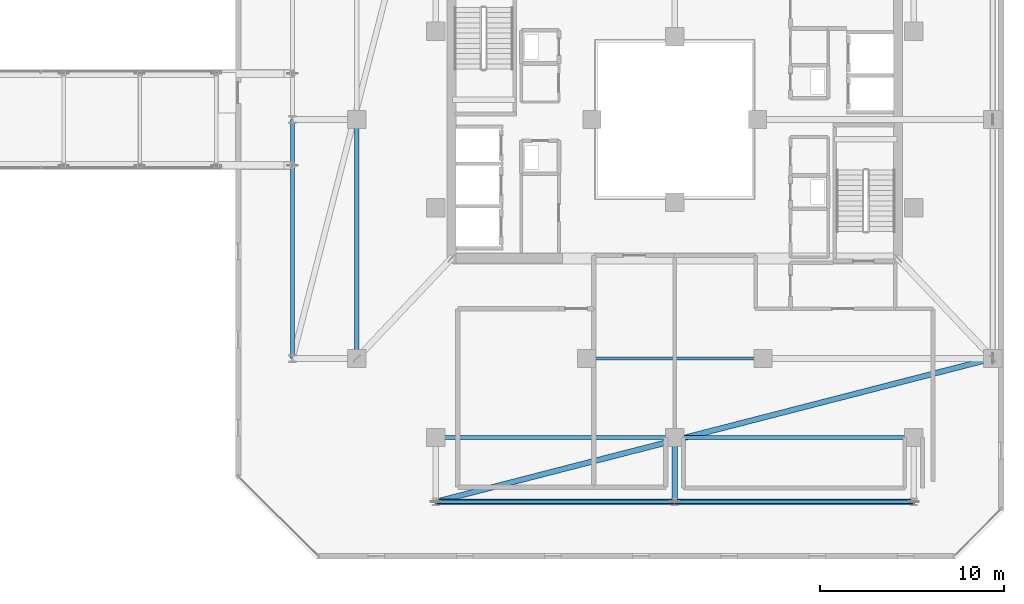
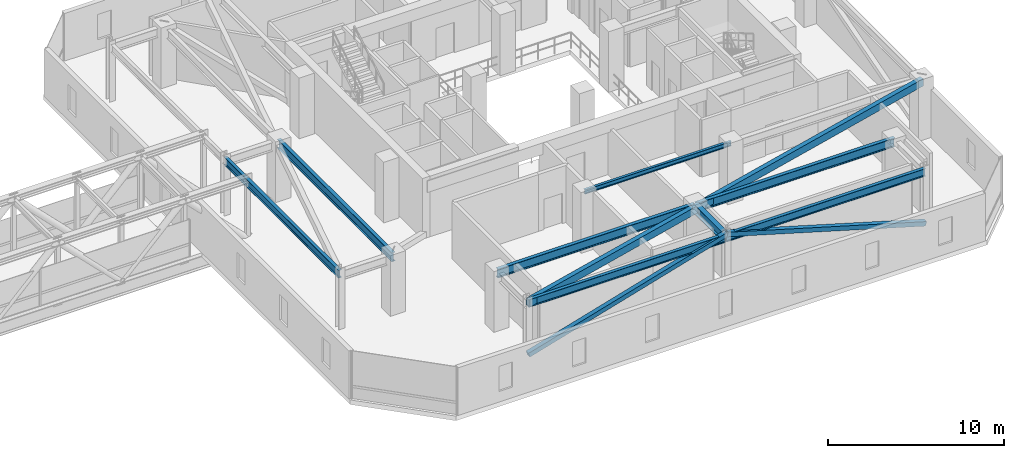
# One storey, part 19 of 42: 9 beams, 2 members.
"""IFC4 building model written with IfcOpenShell, lengths in metres."""

from ifc_helpers import new_model, si_unit, direction, frame, origin, origin_2d, place, context, subcontext, project, spatial, hollow_rectangle, i_section, extrude, material, material_profile, profile_set, type_object, element, save


model = new_model("IFC4")

# Units and contexts
model_context = context("Model", 3, precision=1e-05, world=origin(), true_north=direction((0.0, 1.0)))
body_context = subcontext(model_context, "Body", "Model", "MODEL_VIEW")
ifc_project = project(units=[si_unit("LENGTHUNIT", "METRE"), si_unit("AREAUNIT", "SQUARE_METRE"), si_unit("VOLUMEUNIT", "CUBIC_METRE"), si_unit("PLANEANGLEUNIT", "RADIAN"), si_unit("MASSUNIT", "GRAM", prefix="KILO")], contexts=[model_context])

# Site, building, storey
site_placement = place(None, origin())
site = spatial("IfcSite", under=ifc_project, at=site_placement, CompositionType="ELEMENT")
building_placement = place(site_placement, origin())
building = spatial("IfcBuilding", under=site, at=building_placement, Name="Thornwick Lancets Civic Towers", CompositionType="ELEMENT")
storey_placement = place(building_placement, frame((0.0, 0.0, 221.699951171875)))
storey = spatial("IfcBuildingStorey", under=building, at=storey_placement, Name="L59", CompositionType="ELEMENT", Elevation=221.699951171875)

# Beams
ifc_material_1 = material(Name="Steel S355JR", Category="steel")
ifc_material_profile_1 = material_profile(ifc_material_1, i_section(OverallWidth=0.210693359375, OverallDepth=0.53955078125, WebThickness=0.01171875, FlangeThickness=0.018798828125, FilletRadius=0.0126953125, at=origin_2d()), Name="UKB 533x210x109")
ifc_profile_set_1 = profile_set([ifc_material_profile_1], Name="Steel S355JR")
beam_type_1 = type_object("IfcBeamType", Name="BM_EDGE_533_109", PredefinedType="SPANDREL", material=ifc_profile_set_1)
for number, where, z_axis, x_axis, name in (
    (1, (67.699951171875, 14.0, 3.6904296875), (0.0, 1.0, 0.0), (-1.0, 0.0, 0.0), "BM-EDGE-L59-B-S2-1"),
    (2, (101.5, 6.199951171875, 3.6904296875), (-1.0, 0.0, 0.0), (0.0, -1.0, 0.0), "BM-EDGE-L59-B-S3-1"),
):
    element("IfcBeam", number, at=place(storey_placement, frame(where, z_axis=z_axis, x_axis=x_axis)), inside=storey, type_object=beam_type_1, Name=name, PredefinedType="SPANDREL", context=body_context, shape_type="SweptSolid", body=[
        extrude(i_section(OverallWidth=0.210693359375, OverallDepth=0.53955078125, WebThickness=0.01171875, FlangeThickness=0.018798828125, FilletRadius=0.0126953125, at=origin_2d()), origin(), (0.0, 0.0, 1.0), 13.0),
    ])
beam_1_placement = place(storey_placement, frame((88.419921875, 6.199951171875, 3.6904296875), z_axis=(-1.0, 0.0, 0.0), x_axis=(0.0, -1.0, 0.0)))
element("IfcBeam", 3, at=beam_1_placement, inside=storey, type_object=beam_type_1, Name="BM-EDGE-L59-B-S3-2", PredefinedType="SPANDREL", context=body_context, shape_type="SweptSolid", body=[
    extrude(i_section(OverallWidth=0.210693359375, OverallDepth=0.53955078125, WebThickness=0.01171875, FlangeThickness=0.018798828125, FilletRadius=0.0126953125, at=origin_2d()), origin(), (0.0, 0.0, 1.0), 12.919921875),
])
ifc_material_profile_2 = material_profile(ifc_material_1, i_section(OverallWidth=0.230224609375, OverallDepth=0.6171875, WebThickness=0.01318359375, FlangeThickness=0.022216796875, FilletRadius=0.0126953125, at=origin_2d()), Name="UKB 610x229x140")
ifc_profile_set_2 = profile_set([ifc_material_profile_2], Name="Steel S355JR")
beam_type_2 = type_object("IfcBeamType", Name="BM_GIRD_610_140", PredefinedType="BEAM", material=ifc_profile_set_2)
for number, where, z_axis, x_axis, name in (
    (4, (71.199951171875, 14.0, 3.6513671875), (0.0, 1.0, 0.0), (-1.0, 0.0, 0.0), "BM-SPINE-L59-B-6-7"),
    (5, (101.5, 9.699951171875, 3.6513671875), (-1.0, 0.0, 0.0), (0.0, -1.0, 0.0), "BM-SPINE-L59-B-9-10"),
):
    element("IfcBeam", number, at=place(storey_placement, frame(where, z_axis=z_axis, x_axis=x_axis)), inside=storey, type_object=beam_type_2, Name=name, PredefinedType="BEAM", context=body_context, shape_type="SweptSolid", body=[
        extrude(i_section(OverallWidth=0.230224609375, OverallDepth=0.6171875, WebThickness=0.01318359375, FlangeThickness=0.022216796875, FilletRadius=0.0126953125, at=origin_2d()), origin(), (0.0, 0.0, 1.0), 13.0),
    ])
beam_2_placement = place(storey_placement, frame((88.419921875, 9.699951171875, 3.6513671875), z_axis=(-1.0, 0.0, 0.0), x_axis=(0.0, -1.0, 0.0)))
element("IfcBeam", 6, at=beam_2_placement, inside=storey, type_object=beam_type_2, Name="BM-SPINE-L59-B-10-11", PredefinedType="BEAM", context=body_context, shape_type="SweptSolid", body=[
    extrude(i_section(OverallWidth=0.230224609375, OverallDepth=0.6171875, WebThickness=0.01318359375, FlangeThickness=0.022216796875, FilletRadius=0.0126953125, at=origin_2d()), origin(), (0.0, 0.0, 1.0), 12.919921875),
])
ifc_material_profile_3 = material_profile(ifc_material_1, i_section(OverallWidth=0.30712890625, OverallDepth=0.6201171875, WebThickness=0.01416015625, FlangeThickness=0.023681640625, FilletRadius=0.0166015625, at=origin_2d()), Name="UKB 610x305x179")
ifc_profile_set_3 = profile_set([ifc_material_profile_3], Name="Steel S355JR")
beam_type_3 = type_object("IfcBeamType", Name="BM_GIRD_610_179", PredefinedType="BEAM", material=ifc_profile_set_3)
beam_3_placement = place(storey_placement, frame((88.5, 9.699951171875, 3.64990234375), z_axis=(0.0, -1.0, 0.0), x_axis=(1.0, 0.0, 0.0)))
element("IfcBeam", 7, at=beam_3_placement, inside=storey, type_object=beam_type_3, Name="BM-RAD-L59-B11", PredefinedType="BEAM", context=body_context, shape_type="SweptSolid", body=[
    extrude(i_section(OverallWidth=0.30712890625, OverallDepth=0.6201171875, WebThickness=0.01416015625, FlangeThickness=0.023681640625, FilletRadius=0.0166015625, at=origin_2d()), origin(), (0.0, 0.0, 1.0), 3.5),
])
ifc_material_profile_4 = material_profile(ifc_material_1, i_section(OverallWidth=0.1669921875, OverallDepth=0.310302734375, WebThickness=0.0078125, FlangeThickness=0.013671875, FilletRadius=0.0087890625, at=origin_2d()), Name="UKB 305x165x54")
ifc_profile_set_4 = profile_set([ifc_material_profile_4], Name="Steel S355JR")
beam_type_4 = type_object("IfcBeamType", Name="BM_LINTEL_305_54", PredefinedType="LINTEL", material=ifc_profile_set_4)
beam_4_placement = place(storey_placement, frame((93.300048828125, 14.0, 3.804931640625), z_axis=(-1.0, 0.0, 0.0), x_axis=(0.0, -1.0, 0.0)))
element("IfcBeam", 8, at=beam_4_placement, inside=storey, type_object=beam_type_4, Name="BM-INSP-L59-B-0-2", PredefinedType="LINTEL", context=body_context, shape_type="SweptSolid", body=[
    extrude(i_section(OverallWidth=0.1669921875, OverallDepth=0.310302734375, WebThickness=0.0078125, FlangeThickness=0.013671875, FilletRadius=0.0087890625, at=origin_2d()), origin(), (0.0, 0.0, 1.0), 9.60009765625),
])
ifc_material_2 = material(Name="Steel S460M", Category="steel")
ifc_material_profile_5 = material_profile(ifc_material_2, hollow_rectangle(XDim=0.300048828125, YDim=0.5, WallThickness=0.02001953125, at=origin_2d()), Name="RHS 500x300x20")
ifc_profile_set_5 = profile_set([ifc_material_profile_5], Name="Steel S460M")
beam_type_5 = type_object("IfcBeamType", Name="BM_RING_RHS500", PredefinedType="BEAM", material=ifc_profile_set_5)
beam_5_placement = place(storey_placement, frame((75.5, 6.199951171875, 3.7099609375), z_axis=(0.96842654257, 0.249299080716, 0.0), x_axis=(-0.249299080716, 0.96842654257, 0.0)))
element("IfcBeam", 9, at=beam_5_placement, inside=storey, type_object=beam_type_5, Name="BM-CHAMF-L59-B-C3", PredefinedType="BEAM", context=body_context, shape_type="SweptSolid", body=[
    extrude(hollow_rectangle(XDim=0.300048828125, YDim=0.5, WallThickness=0.02001953125, at=origin_2d()), origin(), (0.0, 0.0, 1.0), 31.287841796875),
])

# Members
ifc_material_profile_6 = material_profile(ifc_material_2, hollow_rectangle(XDim=0.300048828125, YDim=0.300048828125, WallThickness=0.01611328125, at=origin_2d()), Name="SHS 300x300x16")
ifc_profile_set_6 = profile_set([ifc_material_profile_6], Name="Steel S460M")
member_type = type_object("IfcMemberType", Name="MEM_BELT_SHS300", PredefinedType="BRACE", material=ifc_profile_set_6)
for number, where, z_axis, x_axis, name in (
    (10, (101.5, 6.199951171875, 0.150146484375), (-0.959639110761, 0.0, 0.281234381074), (0.0, -1.0, 0.0), "L59 Belt Truss Diagonal B-S3-1"),
    (11, (75.5, 6.199951171875, 0.150146484375), (0.959639110761, 0.0, 0.281234381074), (0.0, 1.0, 0.0), "L59 Belt Truss Diagonal B-S3-2"),
):
    element("IfcMember", number, at=place(storey_placement, frame(where, z_axis=z_axis, x_axis=x_axis)), inside=storey, type_object=member_type, Name=name, PredefinedType="BRACE", context=body_context, shape_type="SweptSolid", body=[
        extrude(hollow_rectangle(XDim=0.300048828125, YDim=0.300048828125, WallThickness=0.01611328125, at=origin_2d()), origin(), (0.0, 0.0, 1.0), 13.546875),
    ])

save(model, "model.ifc")
